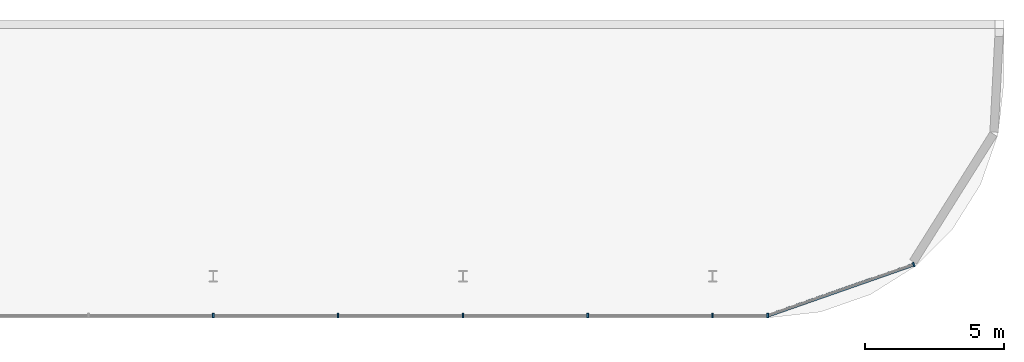
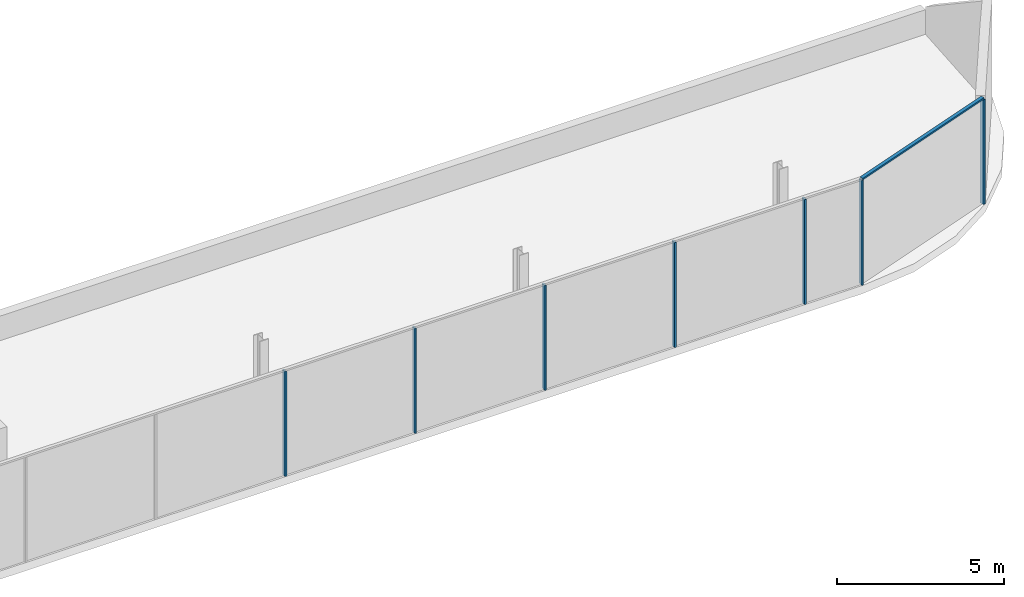
# One storey, part 4 of 5: 8 members, 2 elements without a shape of their own.
"""IFC4 building model written with IfcOpenShell, lengths in metres."""

from ifc_helpers import new_model, si_unit, direction, frame, origin, origin_2d, place, context, subcontext, project, spatial, rectangle, extrude, material, material_profile, profile_set, type_object, element, aggregate, save


model = new_model("IFC4")

# Units and contexts
model_context = context("Model", 3, precision=1e-05, world=origin(), true_north=direction((0.0, 1.0)))
body_context = subcontext(model_context, "Body", "Model", "MODEL_VIEW")
ifc_project = project(units=[si_unit("LENGTHUNIT", "METRE"), si_unit("AREAUNIT", "SQUARE_METRE"), si_unit("VOLUMEUNIT", "CUBIC_METRE"), si_unit("PLANEANGLEUNIT", "RADIAN"), si_unit("MASSUNIT", "GRAM", prefix="KILO")], contexts=[model_context])

# Site, building, storey
site_placement = place(None, origin())
site = spatial("IfcSite", under=ifc_project, at=site_placement, CompositionType="ELEMENT")
building_placement = place(site_placement, origin())
building = spatial("IfcBuilding", under=site, at=building_placement, Name="Ogive Portal Towers", CompositionType="ELEMENT")
storey_placement = place(building_placement, frame((0.0, 0.0, 289.699951171875)))
storey = spatial("IfcBuildingStorey", under=building, at=storey_placement, Name="L70", CompositionType="ELEMENT", Elevation=289.699951171875)

# Curtain wall, members
ifc_material_1 = material(Name="Glass, clear low-iron insulated glazing", Category="glass")
curtain_wall_type = type_object("IfcCurtainWallType", Name="CW CROWN GLAZING", PredefinedType="NOTDEFINED", material=ifc_material_1)
curtain_wall_1_placement = place(storey_placement, origin())
curtain_wall_1 = element("IfcCurtainWall", 1, at=curtain_wall_1_placement, inside=storey, type_object=curtain_wall_type, Name="A:L70:c12:cw", PredefinedType="NOTDEFINED")
ifc_material_2 = material(Name="Aluminium 6063 anodised", Category="aluminium")
ifc_material_profile_1 = material_profile(ifc_material_2, rectangle(XDim=0.159912109375, YDim=0.06005859375, at=origin_2d()), Name="AL 60x160")
ifc_profile_set_1 = profile_set([ifc_material_profile_1], Name="Aluminium 6063 anodised")
member_type_1 = type_object("IfcMemberType", Name="CW MULLION 60x160", PredefinedType="MULLION", material=ifc_profile_set_1)
member_1_placement = place(storey_placement, frame((67.5, 20.080078125, 0.0), z_axis=(0.0, 0.0, 1.0), x_axis=(0.0, 1.0, 0.0)))
member_1 = element("IfcMember", 2, at=member_1_placement, type_object=member_type_1, Name="mullion", PredefinedType="MULLION", context=body_context, shape_type="SweptSolid", body=[
    extrude(rectangle(XDim=0.159912109375, YDim=0.06005859375, at=origin_2d()), origin(), (0.0, 0.0, 1.0), 3.840087890625),
])
member_2_placement = place(storey_placement, frame((72.0, 20.080078125, 0.0), z_axis=(0.0, 0.0, 1.0), x_axis=(0.0, 1.0, 0.0)))
member_2 = element("IfcMember", 3, at=member_2_placement, type_object=member_type_1, Name="mullion", PredefinedType="MULLION", context=body_context, shape_type="SweptSolid", body=[
    extrude(rectangle(XDim=0.159912109375, YDim=0.06005859375, at=origin_2d()), origin(), (0.0, 0.0, 1.0), 3.840087890625),
])
member_3_placement = place(storey_placement, frame((76.5, 20.080078125, 0.0), z_axis=(0.0, 0.0, 1.0), x_axis=(0.0, 1.0, 0.0)))
member_3 = element("IfcMember", 4, at=member_3_placement, type_object=member_type_1, Name="mullion", PredefinedType="MULLION", context=body_context, shape_type="SweptSolid", body=[
    extrude(rectangle(XDim=0.159912109375, YDim=0.06005859375, at=origin_2d()), origin(), (0.0, 0.0, 1.0), 3.840087890625),
])
member_4_placement = place(storey_placement, frame((81.0, 20.080078125, 0.0), z_axis=(0.0, 0.0, 1.0), x_axis=(0.0, 1.0, 0.0)))
member_4 = element("IfcMember", 5, at=member_4_placement, type_object=member_type_1, Name="mullion", PredefinedType="MULLION", context=body_context, shape_type="SweptSolid", body=[
    extrude(rectangle(XDim=0.159912109375, YDim=0.06005859375, at=origin_2d()), origin(), (0.0, 0.0, 1.0), 3.840087890625),
])
member_5_placement = place(storey_placement, frame((85.5, 20.080078125, 0.0), z_axis=(0.0, 0.0, 1.0), x_axis=(0.0, 1.0, 0.0)))
member_5 = element("IfcMember", 6, at=member_5_placement, type_object=member_type_1, Name="mullion", PredefinedType="MULLION", context=body_context, shape_type="SweptSolid", body=[
    extrude(rectangle(XDim=0.159912109375, YDim=0.06005859375, at=origin_2d()), origin(), (0.0, 0.0, 1.0), 3.840087890625),
])
member_6_placement = place(storey_placement, frame((87.486328125, 20.080078125, 0.0), z_axis=(0.0, 0.0, 1.0), x_axis=(0.0, 1.0, 0.0)))
member_6 = element("IfcMember", 7, at=member_6_placement, type_object=member_type_1, Name="mullion", PredefinedType="MULLION", context=body_context, shape_type="SweptSolid", body=[
    extrude(rectangle(XDim=0.159912109375, YDim=0.06005859375, at=origin_2d()), origin(), (0.0, 0.0, 1.0), 3.840087890625),
])
aggregate(curtain_wall_1, [member_1, member_2, member_3, member_4, member_5, member_6])

curtain_wall_2_placement = place(storey_placement, origin())
curtain_wall_2 = element("IfcCurtainWall", 8, at=curtain_wall_2_placement, inside=storey, type_object=curtain_wall_type, Name="A:L70:c13:cw", PredefinedType="NOTDEFINED")
member_7_placement = place(storey_placement, frame((92.746826171875, 21.920654296875, 0.0), z_axis=(0.0, 0.0, 1.0), x_axis=(-0.33027906196, 0.943883330307, 0.0)))
member_7 = element("IfcMember", 9, at=member_7_placement, type_object=member_type_1, Name="mullion", PredefinedType="MULLION", context=body_context, shape_type="SweptSolid", body=[
    extrude(rectangle(XDim=0.159912109375, YDim=0.06005859375, at=origin_2d()), origin(), (0.0, 0.0, 1.0), 3.840087890625),
])
ifc_material_profile_2 = material_profile(ifc_material_2, rectangle(XDim=0.1201171875, YDim=0.06005859375, at=origin_2d()), Name="AL 120x60")
ifc_profile_set_2 = profile_set([ifc_material_profile_2], Name="Aluminium 6063 anodised")
member_type_2 = type_object("IfcMemberType", Name="CW TRANSOM 60x120", PredefinedType="USERDEFINED", material=ifc_profile_set_2)
member_8_placement = place(storey_placement, frame((87.486328125, 20.080078125, 3.8701171875), z_axis=(0.943891815934, 0.33025481043, 0.0), x_axis=(-0.33025481043, 0.943891815934, 0.0)))
member_8 = element("IfcMember", 10, at=member_8_placement, type_object=member_type_2, Name="transom", ObjectType="TRANSOM", PredefinedType="USERDEFINED", context=body_context, shape_type="SweptSolid", body=[
    extrude(rectangle(XDim=0.1201171875, YDim=0.06005859375, at=origin_2d()), origin(), (0.0, 0.0, 1.0), 5.5732421875),
])
aggregate(curtain_wall_2, [member_8, member_7])

save(model, "model.ifc")
